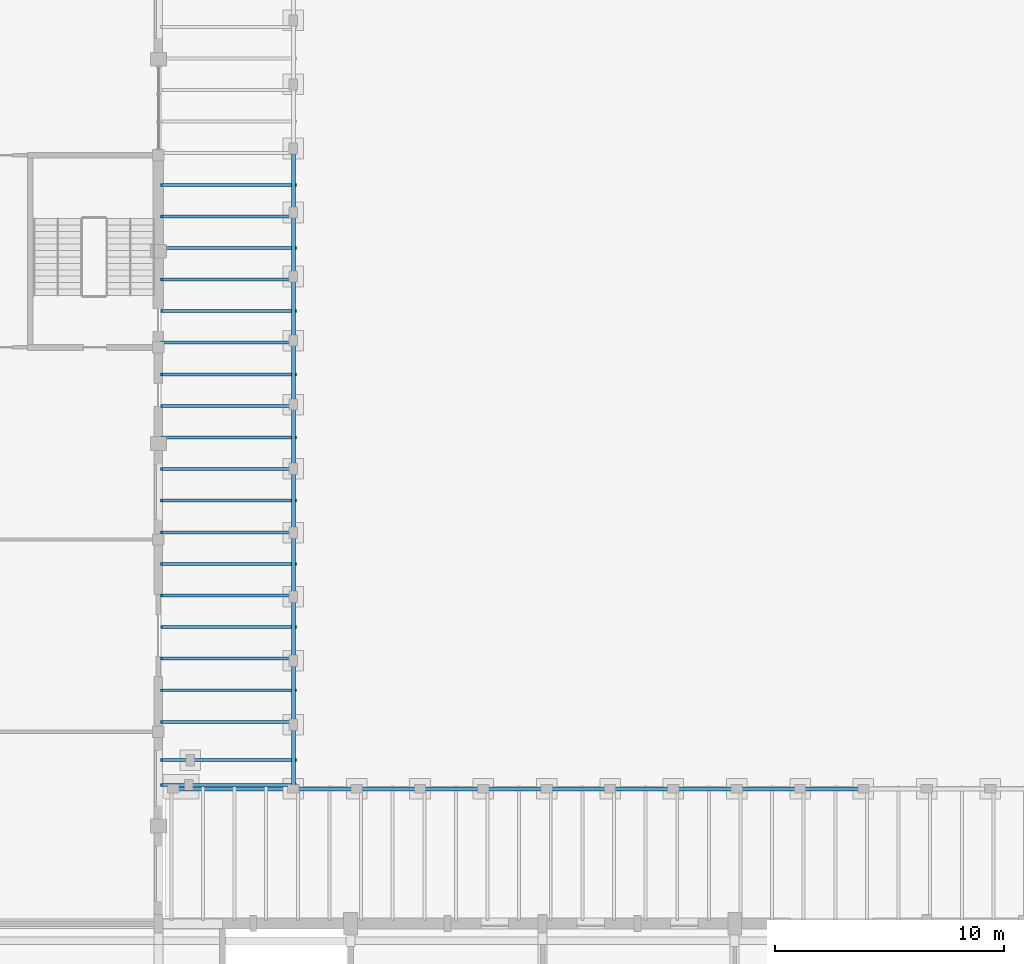
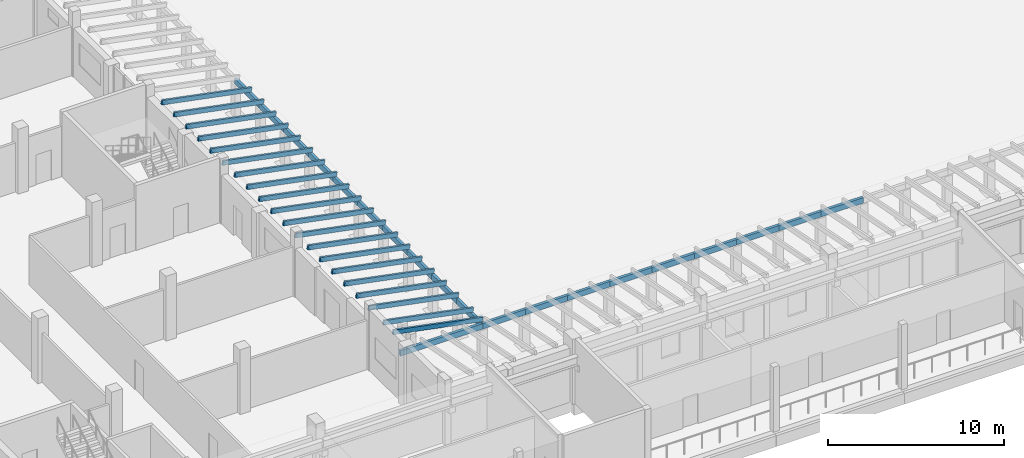
# One storey, part 11 of 60: 20 beams, 20 members.
"""IFC4 building model written with IfcOpenShell, lengths in metres."""

from ifc_helpers import new_model, si_unit, direction, frame, origin, origin_2d, place, context, subcontext, project, spatial, rectangle, extrude, material, material_profile, profile_set, type_object, element, save


model = new_model("IFC4")

# Units and contexts
model_context = context("Model", 3, precision=1e-05, world=origin(), true_north=direction((0.0, 1.0)))
body_context = subcontext(model_context, "Body", "Model", "MODEL_VIEW")
ifc_project = project(units=[si_unit("LENGTHUNIT", "METRE"), si_unit("AREAUNIT", "SQUARE_METRE"), si_unit("VOLUMEUNIT", "CUBIC_METRE"), si_unit("PLANEANGLEUNIT", "RADIAN"), si_unit("MASSUNIT", "GRAM", prefix="KILO")], contexts=[model_context])

# Site, building, storey
site_placement = place(None, origin())
site = spatial("IfcSite", under=ifc_project, at=site_placement, CompositionType="ELEMENT")
building_placement = place(site_placement, origin())
building = spatial("IfcBuilding", under=site, at=building_placement, Name="Fescue Hill Polytechnic", CompositionType="ELEMENT")
storey_placement = place(building_placement, frame((0.0, 0.0, 4.5)))
storey = spatial("IfcBuildingStorey", under=building, at=storey_placement, Name="L01", CompositionType="ELEMENT", Elevation=4.5)

# Beams
ifc_material = material(Name="Glulam 24f-EX", Category="wood")
ifc_material_profile_1 = material_profile(ifc_material, rectangle(XDim=0.175048828125, YDim=0.3798828125, at=origin_2d()), Name="Veranda eaves beam 175x380")
ifc_profile_set_1 = profile_set([ifc_material_profile_1], Name="Glulam 24f-EX")
beam_type = type_object("IfcBeamType", Name="Veranda eaves beam 175x380", PredefinedType="BEAM", material=ifc_profile_set_1)
beam_1_placement = place(storey_placement, frame((25.699951171875, 56.300048828125, 2.365966796875), z_axis=(1.0, 0.0, 0.0), x_axis=(0.0, 1.0, 0.0)))
element("IfcBeam", 1, at=beam_1_placement, inside=storey, type_object=beam_type, Name="Hall veranda eaves beam", PredefinedType="BEAM", context=body_context, shape_type="SweptSolid", body=[
    extrude(rectangle(XDim=0.175048828125, YDim=0.3798828125, at=origin_2d()), origin(), (0.0, 0.0, 1.0), 5.400146484375),
])
beam_2_placement = place(storey_placement, frame((31.10009765625, 56.300048828125, 2.365966796875), z_axis=(1.0, 0.0, 0.0), x_axis=(0.0, 1.0, 0.0)))
element("IfcBeam", 2, at=beam_2_placement, inside=storey, type_object=beam_type, Name="Hall veranda eaves beam", PredefinedType="BEAM", context=body_context, shape_type="SweptSolid", body=[
    extrude(rectangle(XDim=0.175048828125, YDim=0.3798828125, at=origin_2d()), origin(), (0.0, 0.0, 1.0), 2.77001953125),
])
beam_3_placement = place(storey_placement, frame((33.8701171875, 56.300048828125, 2.365966796875), z_axis=(1.0, 0.0, 0.0), x_axis=(0.0, 1.0, 0.0)))
element("IfcBeam", 3, at=beam_3_placement, inside=storey, type_object=beam_type, Name="Hall veranda eaves beam", PredefinedType="BEAM", context=body_context, shape_type="SweptSolid", body=[
    extrude(rectangle(XDim=0.175048828125, YDim=0.3798828125, at=origin_2d()), origin(), (0.0, 0.0, 1.0), 2.769775390625),
])
for number, where, z_axis, x_axis, name in (
    (4, (36.639892578125, 56.300048828125, 2.365966796875), (1.0, 0.0, 0.0), (0.0, 1.0, 0.0), "Hall veranda eaves beam"),
    (5, (39.409912109375, 56.300048828125, 2.365966796875), (1.0, 0.0, 0.0), (0.0, 1.0, 0.0), "Hall veranda eaves beam"),
    (6, (42.179931640625, 56.300048828125, 2.365966796875), (1.0, 0.0, 0.0), (0.0, 1.0, 0.0), "Hall veranda eaves beam"),
    (7, (44.949951171875, 56.300048828125, 2.365966796875), (1.0, 0.0, 0.0), (0.0, 1.0, 0.0), "Hall veranda eaves beam"),
    (8, (47.719970703125, 56.300048828125, 2.365966796875), (1.0, 0.0, 0.0), (0.0, 1.0, 0.0), "Hall veranda eaves beam"),
    (9, (50.489990234375, 56.300048828125, 2.365966796875), (1.0, 0.0, 0.0), (0.0, 1.0, 0.0), "Hall veranda eaves beam"),
    (10, (53.260009765625, 56.300048828125, 2.365966796875), (1.0, 0.0, 0.0), (0.0, 1.0, 0.0), "Hall veranda eaves beam"),
):
    element("IfcBeam", number, at=place(storey_placement, frame(where, z_axis=z_axis, x_axis=x_axis)), inside=storey, type_object=beam_type, Name=name, PredefinedType="BEAM", context=body_context, shape_type="SweptSolid", body=[
        extrude(rectangle(XDim=0.175048828125, YDim=0.3798828125, at=origin_2d()), origin(), (0.0, 0.0, 1.0), 2.77001953125),
    ])
beam_4_placement = place(storey_placement, frame((31.10009765625, 56.300048828125, 2.365966796875), z_axis=(0.0, 1.0, 0.0), x_axis=(-1.0, 0.0, 0.0)))
element("IfcBeam", 11, at=beam_4_placement, inside=storey, type_object=beam_type, Name="Laboratory veranda eaves beam", PredefinedType="BEAM", context=body_context, shape_type="SweptSolid", body=[
    extrude(rectangle(XDim=0.175048828125, YDim=0.3798828125, at=origin_2d()), origin(), (0.0, 0.0, 1.0), 2.800048828125),
])
beam_5_placement = place(storey_placement, frame((31.10009765625, 59.10009765625, 2.365966796875), z_axis=(0.0, 1.0, 0.0), x_axis=(-1.0, 0.0, 0.0)))
element("IfcBeam", 12, at=beam_5_placement, inside=storey, type_object=beam_type, Name="Laboratory veranda eaves beam", PredefinedType="BEAM", context=body_context, shape_type="SweptSolid", body=[
    extrude(rectangle(XDim=0.175048828125, YDim=0.3798828125, at=origin_2d()), origin(), (0.0, 0.0, 1.0), 2.7998046875),
])
for number, where, z_axis, x_axis, name in (
    (13, (31.10009765625, 61.89990234375, 2.365966796875), (0.0, 1.0, 0.0), (-1.0, 0.0, 0.0), "Laboratory veranda eaves beam"),
    (14, (31.10009765625, 64.699951171875, 2.365966796875), (0.0, 1.0, 0.0), (-1.0, 0.0, 0.0), "Laboratory veranda eaves beam"),
    (15, (31.10009765625, 67.5, 2.365966796875), (0.0, 1.0, 0.0), (-1.0, 0.0, 0.0), "Laboratory veranda eaves beam"),
    (16, (31.10009765625, 70.300048828125, 2.365966796875), (0.0, 1.0, 0.0), (-1.0, 0.0, 0.0), "Laboratory veranda eaves beam"),
):
    element("IfcBeam", number, at=place(storey_placement, frame(where, z_axis=z_axis, x_axis=x_axis)), inside=storey, type_object=beam_type, Name=name, PredefinedType="BEAM", context=body_context, shape_type="SweptSolid", body=[
        extrude(rectangle(XDim=0.175048828125, YDim=0.3798828125, at=origin_2d()), origin(), (0.0, 0.0, 1.0), 2.800048828125),
    ])
beam_6_placement = place(storey_placement, frame((31.10009765625, 73.10009765625, 2.365966796875), z_axis=(0.0, 1.0, 0.0), x_axis=(-1.0, 0.0, 0.0)))
element("IfcBeam", 17, at=beam_6_placement, inside=storey, type_object=beam_type, Name="Laboratory veranda eaves beam", PredefinedType="BEAM", context=body_context, shape_type="SweptSolid", body=[
    extrude(rectangle(XDim=0.175048828125, YDim=0.3798828125, at=origin_2d()), origin(), (0.0, 0.0, 1.0), 2.7998046875),
])
for number, where, z_axis, x_axis, name in (
    (18, (31.10009765625, 75.89990234375, 2.365966796875), (0.0, 1.0, 0.0), (-1.0, 0.0, 0.0), "Laboratory veranda eaves beam"),
    (19, (31.10009765625, 78.699951171875, 2.365966796875), (0.0, 1.0, 0.0), (-1.0, 0.0, 0.0), "Laboratory veranda eaves beam"),
    (20, (31.10009765625, 81.5, 2.365966796875), (0.0, 1.0, 0.0), (-1.0, 0.0, 0.0), "Laboratory veranda eaves beam"),
):
    element("IfcBeam", number, at=place(storey_placement, frame(where, z_axis=z_axis, x_axis=x_axis)), inside=storey, type_object=beam_type, Name=name, PredefinedType="BEAM", context=body_context, shape_type="SweptSolid", body=[
        extrude(rectangle(XDim=0.175048828125, YDim=0.3798828125, at=origin_2d()), origin(), (0.0, 0.0, 1.0), 2.800048828125),
    ])

# Members
ifc_material_profile_2 = material_profile(ifc_material, rectangle(XDim=0.1298828125, YDim=0.303955078125, at=origin_2d()), Name="Veranda rafter 130x304")
ifc_profile_set_2 = profile_set([ifc_material_profile_2], Name="Glulam 24f-EX")
member_type = type_object("IfcMemberType", Name="Veranda rafter 130x304", PredefinedType="RAFTER", material=ifc_profile_set_2)
for number, where, z_axis, x_axis, name in (
    (21, (25.324951171875, 56.465087890625, 3.84130859375), (0.981378618916, 0.0, -0.192083331744), (0.0, 1.0, 0.0), "Laboratory veranda rafter"),
    (22, (25.324951171875, 57.550048828125, 3.84130859375), (0.981378618916, 0.0, -0.192083331744), (0.0, 1.0, 0.0), "Laboratory veranda rafter"),
    (23, (25.324951171875, 59.227783203125, 3.84130859375), (0.981378618916, 0.0, -0.192083331744), (0.0, 1.0, 0.0), "Laboratory veranda rafter"),
    (24, (25.324951171875, 60.609375, 3.84130859375), (0.981378618916, 0.0, -0.192083331744), (0.0, 1.0, 0.0), "Laboratory veranda rafter"),
    (25, (25.324951171875, 61.99072265625, 3.84130859375), (0.981378618916, 0.0, -0.192083331744), (0.0, 1.0, 0.0), "Laboratory veranda rafter"),
    (26, (25.324951171875, 63.372314453125, 3.84130859375), (0.981378618916, 0.0, -0.192083331744), (0.0, 1.0, 0.0), "Laboratory veranda rafter"),
    (27, (25.324951171875, 64.753662109375, 3.84130859375), (0.981378618916, 0.0, -0.192083331744), (0.0, 1.0, 0.0), "Laboratory veranda rafter"),
    (28, (25.324951171875, 66.135009765625, 3.84130859375), (0.981378618916, 0.0, -0.192083331744), (0.0, 1.0, 0.0), "Laboratory veranda rafter"),
    (29, (25.324951171875, 67.5166015625, 3.84130859375), (0.981378618916, 0.0, -0.192083331744), (0.0, 1.0, 0.0), "Laboratory veranda rafter"),
    (30, (25.324951171875, 68.89794921875, 3.84130859375), (0.981378618916, 0.0, -0.192083331744), (0.0, 1.0, 0.0), "Laboratory veranda rafter"),
    (31, (25.324951171875, 70.279541015625, 3.84130859375), (0.981378618916, 0.0, -0.192083331744), (0.0, 1.0, 0.0), "Laboratory veranda rafter"),
    (32, (25.324951171875, 71.660888671875, 3.84130859375), (0.981378618916, 0.0, -0.192083331744), (0.0, 1.0, 0.0), "Laboratory veranda rafter"),
    (33, (25.324951171875, 73.04248046875, 3.84130859375), (0.981378618916, 0.0, -0.192083331744), (0.0, 1.0, 0.0), "Laboratory veranda rafter"),
    (34, (25.324951171875, 74.423828125, 3.84130859375), (0.981378618916, 0.0, -0.192083331744), (0.0, 1.0, 0.0), "Laboratory veranda rafter"),
    (35, (25.324951171875, 75.80517578125, 3.84130859375), (0.981378618916, 0.0, -0.192083331744), (0.0, 1.0, 0.0), "Laboratory veranda rafter"),
    (36, (25.324951171875, 77.186767578125, 3.84130859375), (0.981378618916, 0.0, -0.192083331744), (0.0, 1.0, 0.0), "Laboratory veranda rafter"),
    (37, (25.324951171875, 78.568115234375, 3.84130859375), (0.981378618916, 0.0, -0.192083331744), (0.0, 1.0, 0.0), "Laboratory veranda rafter"),
    (38, (25.324951171875, 79.94970703125, 3.84130859375), (0.981378618916, 0.0, -0.192083331744), (0.0, 1.0, 0.0), "Laboratory veranda rafter"),
    (39, (25.324951171875, 81.3310546875, 3.84130859375), (0.981378618916, 0.0, -0.192083331744), (0.0, 1.0, 0.0), "Laboratory veranda rafter"),
    (40, (25.324951171875, 82.71240234375, 3.84130859375), (0.981378618916, 0.0, -0.192083331744), (0.0, 1.0, 0.0), "Laboratory veranda rafter"),
):
    element("IfcMember", number, at=place(storey_placement, frame(where, z_axis=z_axis, x_axis=x_axis)), inside=storey, type_object=member_type, Name=name, PredefinedType="RAFTER", context=body_context, shape_type="SweptSolid", body=[
        extrude(rectangle(XDim=0.1298828125, YDim=0.303955078125, at=origin_2d()), origin(), (0.0, 0.0, 1.0), 5.986572265625),
    ])

save(model, "model.ifc")
